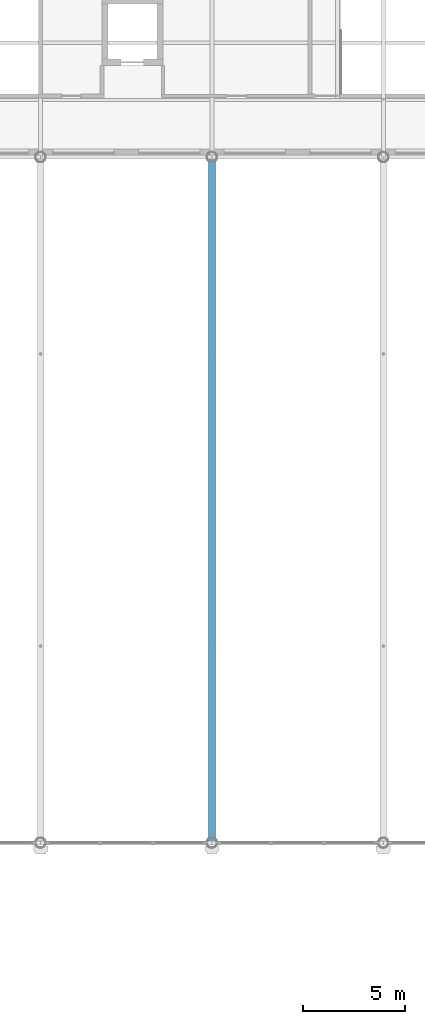
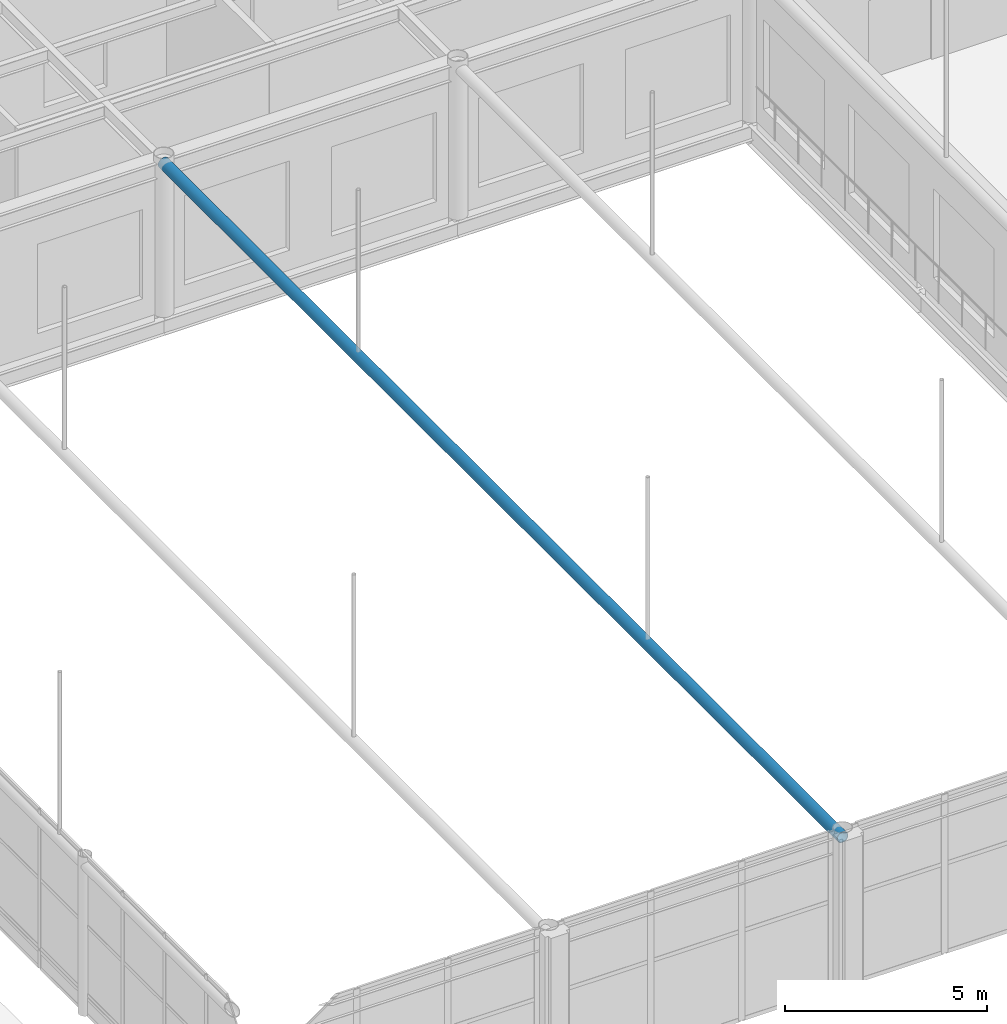
# One storey, part 52 of 167: 1 beam.
"""IFC4 building model written with IfcOpenShell, lengths in metres."""

from ifc_helpers import new_model, si_unit, direction, frame, origin, origin_2d, place, context, subcontext, project, spatial, hollow_circle, extrude, material, material_profile, profile_set, type_object, element, save


model = new_model("IFC4")

# Units and contexts
model_context = context("Model", 3, precision=1e-05, world=origin(), true_north=direction((0.0, 1.0)))
body_context = subcontext(model_context, "Body", "Model", "MODEL_VIEW")
ifc_project = project(units=[si_unit("LENGTHUNIT", "METRE"), si_unit("AREAUNIT", "SQUARE_METRE"), si_unit("VOLUMEUNIT", "CUBIC_METRE"), si_unit("PLANEANGLEUNIT", "RADIAN"), si_unit("MASSUNIT", "GRAM", prefix="KILO")], contexts=[model_context])

# Site, building, storey
site_placement = place(None, origin())
site = spatial("IfcSite", under=ifc_project, at=site_placement, CompositionType="ELEMENT")
building_placement = place(site_placement, origin())
building = spatial("IfcBuilding", under=site, at=building_placement, Name="Catenary Quay Ferry Terminal", CompositionType="ELEMENT")
storey_placement = place(building_placement, frame((0.0, 0.0, 6.0)))
storey = spatial("IfcBuildingStorey", under=building, at=storey_placement, Name="L01", CompositionType="ELEMENT", Elevation=6.0)

# Beam
ifc_material = material(Name="Steel S355", Category="steel")
ifc_material_profile = material_profile(ifc_material, hollow_circle(Radius=0.161865234375, WallThickness=0.01611328125, at=origin_2d()), Name="CHS 323.9x16")
ifc_profile_set = profile_set([ifc_material_profile], Name="Steel S355")
beam_type = type_object("IfcBeamType", Name="TB3 CHS 323.9x16", PredefinedType="BEAM", material=ifc_profile_set)
beam_placement = place(storey_placement, frame((42.0, 67.199951171875, 4.5), z_axis=(0.0, 1.0, 0.0), x_axis=(-1.0, 0.0, 0.0)))
element("IfcBeam", 1, at=beam_placement, inside=storey, type_object=beam_type, Name="Vault tie beam VA-03", PredefinedType="BEAM", context=body_context, shape_type="SweptSolid", body=[
    extrude(hollow_circle(Radius=0.161865234375, WallThickness=0.01611328125, at=origin_2d()), origin(), (0.0, 0.0, 1.0), 33.60009765625),
])

save(model, "model.ifc")
